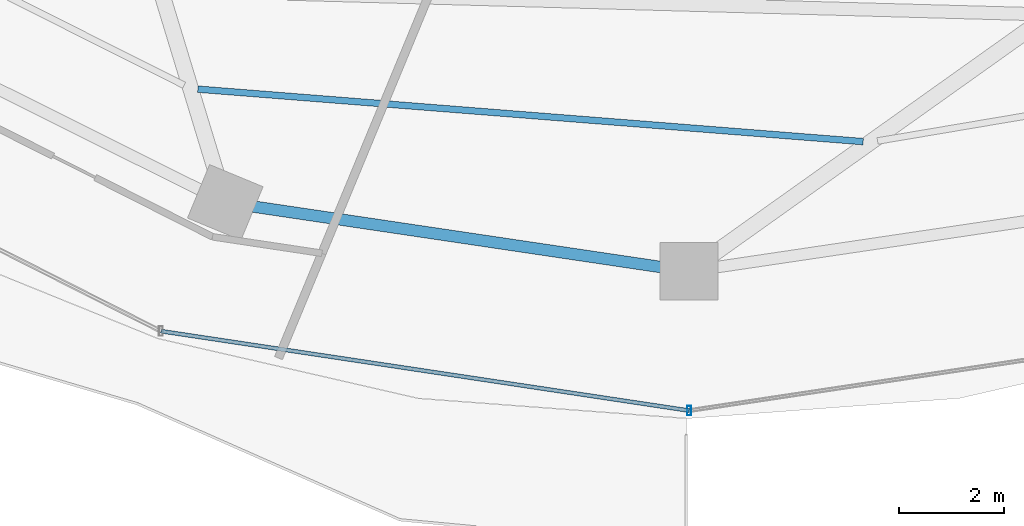
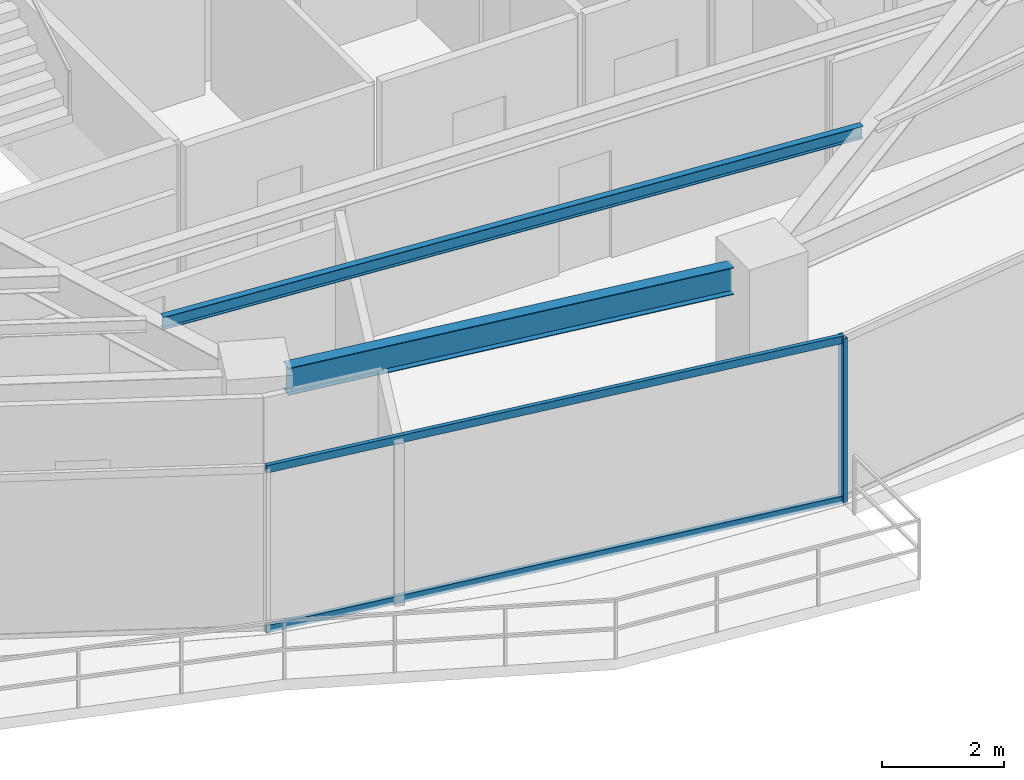
# One storey, part 5 of 31: 3 members, 2 beams, 1 element without a shape of its own.
"""IFC4 building model written with IfcOpenShell, lengths in metres."""

from ifc_helpers import new_model, si_unit, direction, frame, origin, origin_2d, place, context, subcontext, project, spatial, hollow_rectangle, i_section, extrude, material, material_profile, profile_set, type_object, element, aggregate, save


model = new_model("IFC4")

# Units and contexts
model_context = context("Model", 3, precision=1e-05, world=origin(), true_north=direction((0.0, 1.0)))
body_context = subcontext(model_context, "Body", "Model", "MODEL_VIEW")
ifc_project = project(units=[si_unit("LENGTHUNIT", "METRE"), si_unit("AREAUNIT", "SQUARE_METRE"), si_unit("VOLUMEUNIT", "CUBIC_METRE"), si_unit("PLANEANGLEUNIT", "RADIAN"), si_unit("MASSUNIT", "GRAM", prefix="KILO")], contexts=[model_context])

# Site, building, storey
site_placement = place(None, origin())
site = spatial("IfcSite", under=ifc_project, at=site_placement, CompositionType="ELEMENT")
building_placement = place(site_placement, origin())
building = spatial("IfcBuilding", under=site, at=building_placement, Name="Vorneva Point Tower", CompositionType="ELEMENT")
storey_placement = place(building_placement, frame((0.0, 0.0, 103.300048828125)))
storey = spatial("IfcBuildingStorey", under=building, at=storey_placement, Name="L27", CompositionType="ELEMENT", Elevation=103.300048828125)

# Beams
ifc_material_1 = material(Name="Steel S355", Category="steel")
ifc_material_profile_1 = material_profile(ifc_material_1, i_section(OverallWidth=0.1240234375, OverallDepth=0.248046875, WebThickness=0.0048828125, FlangeThickness=0.008056640625, at=origin_2d()), Name="25B1")
ifc_profile_set_1 = profile_set([ifc_material_profile_1], Name="Steel S355")
beam_type_1 = type_object("IfcBeamType", Name="BM-JST-25B1", PredefinedType="JOIST", material=ifc_profile_set_1)
beam_1_placement = place(storey_placement, frame((28.657958984375, 12.263427734375, 3.115966796875), z_axis=(0.996902079172, -0.078652682998, 0.0), x_axis=(0.078652682998, 0.996902079172, 0.0)))
element("IfcBeam", 1, at=beam_1_placement, inside=storey, type_object=beam_type_1, Name="L27 Secondary Floor Beam 1.12", PredefinedType="JOIST", context=body_context, shape_type="SweptSolid", body=[
    extrude(i_section(OverallWidth=0.1240234375, OverallDepth=0.248046875, WebThickness=0.0048828125, FlangeThickness=0.008056640625, at=origin_2d()), origin(), (0.0, 0.0, 1.0), 12.6923828125),
])
ifc_material_profile_2 = material_profile(ifc_material_1, i_section(OverallWidth=0.219970703125, OverallDepth=0.54296875, WebThickness=0.009521484375, FlangeThickness=0.013427734375, at=origin_2d()), Name="55B1")
ifc_profile_set_2 = profile_set([ifc_material_profile_2], Name="Steel S355")
beam_type_2 = type_object("IfcBeamType", Name="BM-SPN-55B1", PredefinedType="SPANDREL", material=ifc_profile_set_2)
beam_2_placement = place(storey_placement, frame((29.708251953125, 10.03076171875, 2.968505859375), z_axis=(0.989164507783, -0.146811363806, 0.0), x_axis=(0.146811363806, 0.989164507783, 0.0)))
element("IfcBeam", 2, at=beam_2_placement, inside=storey, type_object=beam_type_2, Name="L27 Perimeter Spandrel Ring Beam 12", PredefinedType="SPANDREL", context=body_context, shape_type="SweptSolid", body=[
    extrude(i_section(OverallWidth=0.219970703125, OverallDepth=0.54296875, WebThickness=0.009521484375, FlangeThickness=0.013427734375, at=origin_2d()), origin(), (0.0, 0.0, 1.0), 7.847412109375),
])

# Curtain wall, members
ifc_material_2 = material(Name="Pale anodised aluminium", Category="aluminium")
curtain_wall_type = type_object("IfcCurtainWallType", Name="CW-HTL-SYS", PredefinedType="NOTDEFINED", material=ifc_material_2)
curtain_wall_placement = place(storey_placement, origin())
curtain_wall = element("IfcCurtainWall", 3, at=curtain_wall_placement, inside=storey, type_object=curtain_wall_type, Name="L27 Unitised Curtain Wall CW-L27-R04", PredefinedType="NOTDEFINED")
ifc_material_profile_3 = material_profile(ifc_material_2, hollow_rectangle(XDim=0.074951171875, YDim=0.179931640625, WallThickness=0.00390625, at=origin_2d()), Name="AL-MUL 180x75x4")
ifc_profile_set_3 = profile_set([ifc_material_profile_3], Name="Pale anodised aluminium")
member_type_1 = type_object("IfcMemberType", Name="CW-MUL-180", PredefinedType="MULLION", material=ifc_profile_set_3)
member_1_placement = place(storey_placement, frame((38.0, 6.14990234375, -0.0400390625), z_axis=(0.0, 0.0, 1.0), x_axis=(1.0, 0.0, 0.0)))
member_1 = element("IfcMember", 4, at=member_1_placement, type_object=member_type_1, Name="CW-L27-R04 Mullion 03", PredefinedType="MULLION", context=body_context, shape_type="SweptSolid", body=[
    extrude(hollow_rectangle(XDim=0.074951171875, YDim=0.179931640625, WallThickness=0.00390625, at=origin_2d()), origin(), (0.0, 0.0, 1.0), 3.31005859375),
])
ifc_material_profile_4 = material_profile(ifc_material_2, hollow_rectangle(XDim=0.074951171875, YDim=0.14990234375, WallThickness=0.00390625, at=origin_2d()), Name="AL-TRN 150x75x4")
ifc_profile_set_4 = profile_set([ifc_material_profile_4], Name="Pale anodised aluminium")
member_type_2 = type_object("IfcMemberType", Name="CW-TRN-150", PredefinedType="USERDEFINED", material=ifc_profile_set_4)
member_2_placement = place(storey_placement, frame((27.95458984375, 7.660888671875, 0.02001953125), z_axis=(0.988875982167, -0.148742367512, 0.0), x_axis=(0.148742367512, 0.988875982167, 0.0)))
member_2 = element("IfcMember", 5, at=member_2_placement, type_object=member_type_2, Name="CW-L27-R04 Transom 02.1", ObjectType="TRANSOM", PredefinedType="USERDEFINED", context=body_context, shape_type="SweptSolid", body=[
    extrude(hollow_rectangle(XDim=0.074951171875, YDim=0.14990234375, WallThickness=0.00390625, at=origin_2d()), origin(), (0.0, 0.0, 1.0), 10.158447265625),
])
member_3_placement = place(storey_placement, frame((27.95458984375, 7.660888671875, 3.219970703125), z_axis=(0.988875982167, -0.148742367512, 0.0), x_axis=(0.148742367512, 0.988875982167, 0.0)))
member_3 = element("IfcMember", 6, at=member_3_placement, type_object=member_type_2, Name="CW-L27-R04 Transom 02.2", ObjectType="TRANSOM", PredefinedType="USERDEFINED", context=body_context, shape_type="SweptSolid", body=[
    extrude(hollow_rectangle(XDim=0.074951171875, YDim=0.14990234375, WallThickness=0.00390625, at=origin_2d()), origin(), (0.0, 0.0, 1.0), 10.158447265625),
])
aggregate(curtain_wall, [member_1, member_2, member_3])

save(model, "model.ifc")
